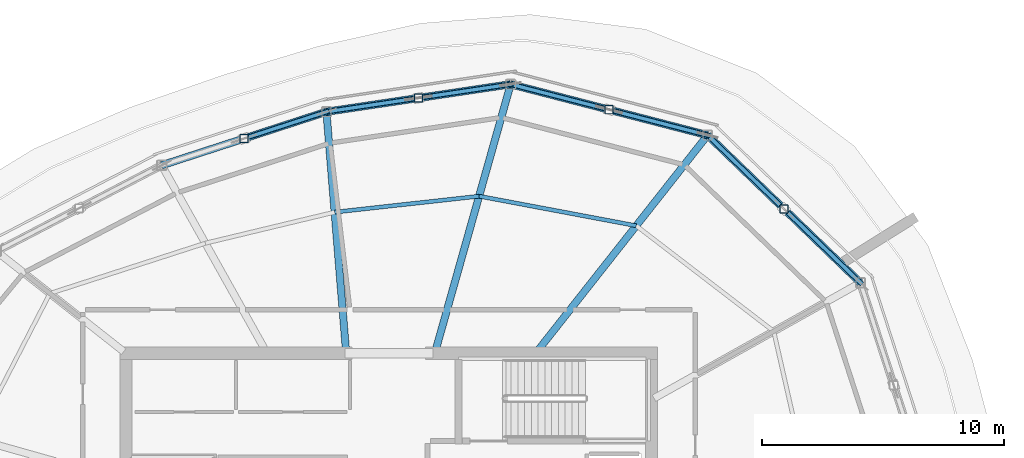
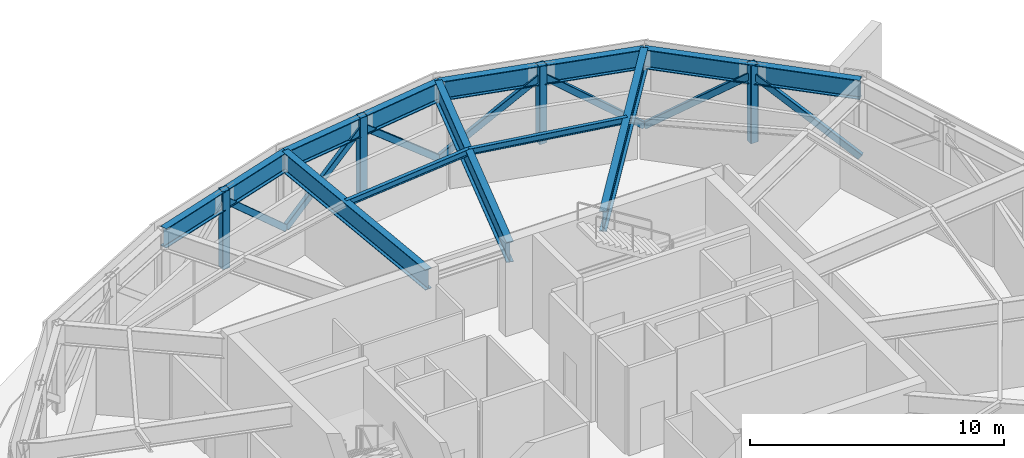
# One storey, part 7 of 14: 11 members, 9 beams.
"""IFC4 building model written with IfcOpenShell, lengths in metres."""

from ifc_helpers import new_model, si_unit, direction, frame, origin, origin_2d, place, context, subcontext, project, spatial, hollow_rectangle, i_section, extrude, material, material_profile, profile_set, type_object, element, save


model = new_model("IFC4")

# Units and contexts
model_context = context("Model", 3, precision=1e-05, world=origin(), true_north=direction((0.0, 1.0)))
body_context = subcontext(model_context, "Body", "Model", "MODEL_VIEW")
ifc_project = project(units=[si_unit("LENGTHUNIT", "METRE"), si_unit("AREAUNIT", "SQUARE_METRE"), si_unit("VOLUMEUNIT", "CUBIC_METRE"), si_unit("PLANEANGLEUNIT", "RADIAN"), si_unit("MASSUNIT", "GRAM", prefix="KILO")], contexts=[model_context])

# Site, building, storey
site_placement = place(None, origin())
site = spatial("IfcSite", under=ifc_project, at=site_placement, CompositionType="ELEMENT")
building_placement = place(site_placement, origin())
building = spatial("IfcBuilding", under=site, at=building_placement, Name="Kazma Halo Residences", CompositionType="ELEMENT")
storey_placement = place(building_placement, frame((0.0, 0.0, 351.5)))
storey = spatial("IfcBuildingStorey", under=building, at=storey_placement, Name="L88", CompositionType="ELEMENT", Elevation=351.5)

# Beams
ifc_material = material(Name="Steel S355", Category="steel")
ifc_material_profile_1 = material_profile(ifc_material, i_section(OverallWidth=0.30908203125, OverallDepth=0.931884765625, WebThickness=0.02099609375, FlangeThickness=0.034423828125, FilletRadius=0.02392578125, at=origin_2d()), Name="W920x313")
ifc_profile_set_1 = profile_set([ifc_material_profile_1], Name="Steel S355")
beam_type_1 = type_object("IfcBeamType", Name="BM-BELT-W920A", PredefinedType="BEAM", material=ifc_profile_set_1)
beam_1_placement = place(storey_placement, frame((67.940673828125, 53.167236328125, 3.75390625), z_axis=(-0.719330630477, 0.694667866003, 0.0), x_axis=(-0.694667866003, -0.719330630477, 0.0)))
element("IfcBeam", 1, at=beam_1_placement, inside=storey, type_object=beam_type_1, Name="L88 perimeter ring beam 01", PredefinedType="BEAM", context=body_context, shape_type="SweptSolid", body=[
    extrude(i_section(OverallWidth=0.30908203125, OverallDepth=0.931884765625, WebThickness=0.02099609375, FlangeThickness=0.034423828125, FilletRadius=0.02392578125, at=origin_2d()), origin(), (0.0, 0.0, 1.0), 8.79052734375),
])
beam_2_placement = place(storey_placement, frame((61.617431640625, 59.273681640625, 3.75390625), z_axis=(-0.968129821283, 0.250448895271, 0.0), x_axis=(-0.250448895271, -0.968129821283, 0.0)))
element("IfcBeam", 2, at=beam_2_placement, inside=storey, type_object=beam_type_1, Name="L88 perimeter ring beam 02", PredefinedType="BEAM", context=body_context, shape_type="SweptSolid", body=[
    extrude(i_section(OverallWidth=0.30908203125, OverallDepth=0.931884765625, WebThickness=0.02099609375, FlangeThickness=0.034423828125, FilletRadius=0.02392578125, at=origin_2d()), origin(), (0.0, 0.0, 1.0), 8.41943359375),
])
beam_3_placement = place(storey_placement, frame((53.46630859375, 61.38232421875, 3.75390625), z_axis=(-0.989034152337, -0.147686984904, 0.0), x_axis=(0.147686984904, -0.989034152337, 0.0)))
element("IfcBeam", 3, at=beam_3_placement, inside=storey, type_object=beam_type_1, Name="L88 perimeter ring beam 03", PredefinedType="BEAM", context=body_context, shape_type="SweptSolid", body=[
    extrude(i_section(OverallWidth=0.30908203125, OverallDepth=0.931884765625, WebThickness=0.02099609375, FlangeThickness=0.034423828125, FilletRadius=0.02392578125, at=origin_2d()), origin(), (0.0, 0.0, 1.0), 7.7099609375),
])
beam_4_placement = place(storey_placement, frame((45.8408203125, 60.24365234375, 3.75390625), z_axis=(-0.951067102, -0.308984413026, 0.0), x_axis=(0.308984413026, -0.951067102, 0.0)))
element("IfcBeam", 4, at=beam_4_placement, inside=storey, type_object=beam_type_1, Name="L88 perimeter ring beam 04", PredefinedType="BEAM", context=body_context, shape_type="SweptSolid", body=[
    extrude(i_section(OverallWidth=0.30908203125, OverallDepth=0.931884765625, WebThickness=0.02099609375, FlangeThickness=0.034423828125, FilletRadius=0.02392578125, at=origin_2d()), origin(), (0.0, 0.0, 1.0), 7.168212890625),
])
ifc_material_profile_2 = material_profile(ifc_material, i_section(OverallWidth=0.300048828125, OverallDepth=0.98193359375, WebThickness=0.0166015625, FlangeThickness=0.032958984375, FilletRadius=0.02587890625, at=origin_2d()), Name="W1000x296")
ifc_profile_set_2 = profile_set([ifc_material_profile_2], Name="Steel S355")
beam_type_2 = type_object("IfcBeamType", Name="BM-OUTR-W1000C", PredefinedType="BEAM", material=ifc_profile_set_2)
beam_5_placement = place(storey_placement, frame((54.58251953125, 50.35009765625, 3.72900390625), z_axis=(0.619100773028, 0.785311551447, 0.0), x_axis=(-0.785311551447, 0.619100773028, 0.0)))
element("IfcBeam", 5, at=beam_5_placement, inside=storey, type_object=beam_type_2, Name="L88 radial floor beam 02", PredefinedType="BEAM", context=body_context, shape_type="SweptSolid", body=[
    extrude(i_section(OverallWidth=0.300048828125, OverallDepth=0.98193359375, WebThickness=0.0166015625, FlangeThickness=0.032958984375, FilletRadius=0.02587890625, at=origin_2d()), origin(), (0.0, 0.0, 1.0), 11.363037109375),
])
beam_6_placement = place(storey_placement, frame((50.35498046875, 50.35009765625, 3.72900390625), z_axis=(0.271433859027, 0.962457095238, 0.0), x_axis=(-0.962457095238, 0.271433859027, 0.0)))
element("IfcBeam", 6, at=beam_6_placement, inside=storey, type_object=beam_type_2, Name="L88 radial floor beam 03", PredefinedType="BEAM", context=body_context, shape_type="SweptSolid", body=[
    extrude(i_section(OverallWidth=0.300048828125, OverallDepth=0.98193359375, WebThickness=0.0166015625, FlangeThickness=0.032958984375, FilletRadius=0.02587890625, at=origin_2d()), origin(), (0.0, 0.0, 1.0), 11.462646484375),
])
beam_7_placement = place(storey_placement, frame((46.64990234375, 50.35009765625, 3.72900390625), z_axis=(-0.081506605081, 0.996672801539, 0.0), x_axis=(-0.996672801539, -0.081506605081, 0.0)))
element("IfcBeam", 7, at=beam_7_placement, inside=storey, type_object=beam_type_2, Name="L88 radial floor beam 04", PredefinedType="BEAM", context=body_context, shape_type="SweptSolid", body=[
    extrude(i_section(OverallWidth=0.300048828125, OverallDepth=0.98193359375, WebThickness=0.0166015625, FlangeThickness=0.032958984375, FilletRadius=0.02587890625, at=origin_2d()), origin(), (0.0, 0.0, 1.0), 9.926513671875),
])
ifc_material_profile_3 = material_profile(ifc_material, i_section(OverallWidth=0.1650390625, OverallDepth=0.31005859375, WebThickness=0.005859375, FlangeThickness=0.009765625, FilletRadius=0.011962890625, at=origin_2d()), Name="W310x38.7")
ifc_profile_set_3 = profile_set([ifc_material_profile_3], Name="Steel S355")
beam_type_3 = type_object("IfcBeamType", Name="BM-SEC-W310B", PredefinedType="JOIST", material=ifc_profile_set_3)
beam_8_placement = place(storey_placement, frame((58.662841796875, 55.525634765625, 4.06494140625), z_axis=(-0.982768028721, 0.184843181435, 0.0), x_axis=(-0.184843181435, -0.982768028721, 0.0)))
element("IfcBeam", 8, at=beam_8_placement, inside=storey, type_object=beam_type_3, Name="L88 circumferential floor joist 02", PredefinedType="JOIST", context=body_context, shape_type="SweptSolid", body=[
    extrude(i_section(OverallWidth=0.1650390625, OverallDepth=0.31005859375, WebThickness=0.005859375, FlangeThickness=0.009765625, FilletRadius=0.011962890625, at=origin_2d()), origin(), (0.0, 0.0, 1.0), 6.6171875),
])
beam_9_placement = place(storey_placement, frame((52.15966796875, 56.748779296875, 4.06494140625), z_axis=(-0.993955293014, -0.109785588714, 0.0), x_axis=(0.109785588714, -0.993955293014, 0.0)))
element("IfcBeam", 9, at=beam_9_placement, inside=storey, type_object=beam_type_3, Name="L88 circumferential floor joist 03", PredefinedType="JOIST", context=body_context, shape_type="SweptSolid", body=[
    extrude(i_section(OverallWidth=0.1650390625, OverallDepth=0.31005859375, WebThickness=0.005859375, FlangeThickness=0.009765625, FilletRadius=0.011962890625, at=origin_2d()), origin(), (0.0, 0.0, 1.0), 6.015380859375),
])

# Members
ifc_material_profile_4 = material_profile(ifc_material, hollow_rectangle(XDim=0.199951171875, YDim=0.300048828125, WallThickness=0.012451171875, InnerFilletRadius=0.012451171875, OuterFilletRadius=0.02490234375, at=origin_2d()), Name="RHS300x200x12.5")
ifc_profile_set_4 = profile_set([ifc_material_profile_4], Name="Steel S355")
member_type_1 = type_object("IfcMemberType", Name="MBR-BELT-RHS300", PredefinedType="BRACE", material=ifc_profile_set_4)
for number, where, z_axis, x_axis, name in (
    (10, (67.940673828125, 53.167236328125, 0.47998046875), (-0.580272931554, 0.560377859615, 0.590982215773), (-0.694667866003, -0.719330630477, 0.0), "L88 belt-truss chevron diagonal 01A"),
    (11, (61.617431640625, 59.273681640625, 0.47998046875), (0.580272931554, -0.560377859615, 0.590982215773), (0.694667866003, 0.719330630477, 0.0), "L88 belt-truss chevron diagonal 01B"),
):
    element("IfcMember", number, at=place(storey_placement, frame(where, z_axis=z_axis, x_axis=x_axis)), inside=storey, type_object=member_type_1, Name=name, PredefinedType="BRACE", context=body_context, shape_type="SweptSolid", body=[
        extrude(hollow_rectangle(XDim=0.199951171875, YDim=0.300048828125, WallThickness=0.012451171875, InnerFilletRadius=0.012451171875, OuterFilletRadius=0.02490234375, at=origin_2d()), origin(), (0.0, 0.0, 1.0), 5.448486328125),
    ])
member_1_placement = place(storey_placement, frame((61.617431640625, 59.273681640625, 0.47998046875), z_axis=(-0.768967894326, 0.198909924381, 0.607555116412), x_axis=(-0.250428747003, -0.968135033285, 0.0)))
element("IfcMember", 12, at=member_1_placement, inside=storey, type_object=member_type_1, Name="L88 belt-truss chevron diagonal 02A", PredefinedType="BRACE", context=body_context, shape_type="SweptSolid", body=[
    extrude(hollow_rectangle(XDim=0.199951171875, YDim=0.300048828125, WallThickness=0.012451171875, InnerFilletRadius=0.012451171875, OuterFilletRadius=0.02490234375, at=origin_2d()), origin(), (0.0, 0.0, 1.0), 5.2998046875),
])
member_2_placement = place(storey_placement, frame((53.46630859375, 61.38232421875, 0.47998046875), z_axis=(0.76897967335, -0.198947119276, 0.607528028741), x_axis=(0.250469042007, 0.96812460923, 0.0)))
element("IfcMember", 13, at=member_2_placement, inside=storey, type_object=member_type_1, Name="L88 belt-truss chevron diagonal 02B", PredefinedType="BRACE", context=body_context, shape_type="SweptSolid", body=[
    extrude(hollow_rectangle(XDim=0.199951171875, YDim=0.300048828125, WallThickness=0.012451171875, InnerFilletRadius=0.012451171875, OuterFilletRadius=0.02490234375, at=origin_2d()), origin(), (0.0, 0.0, 1.0), 5.300048828125),
])
for number, where, z_axis, x_axis, name in (
    (14, (53.46630859375, 61.38232421875, 0.47998046875), (-0.759074560525, -0.113348394387, 0.641060022973), (0.147686984904, -0.989034152337, 0.0), "L88 belt-truss chevron diagonal 03A"),
    (15, (45.8408203125, 60.24365234375, 0.47998046875), (0.759074560525, 0.113348394387, 0.641060022973), (-0.147686984904, 0.989034152337, 0.0), "L88 belt-truss chevron diagonal 03B"),
):
    element("IfcMember", number, at=place(storey_placement, frame(where, z_axis=z_axis, x_axis=x_axis)), inside=storey, type_object=member_type_1, Name=name, PredefinedType="BRACE", context=body_context, shape_type="SweptSolid", body=[
        extrude(hollow_rectangle(XDim=0.199951171875, YDim=0.300048828125, WallThickness=0.012451171875, InnerFilletRadius=0.012451171875, OuterFilletRadius=0.02490234375, at=origin_2d()), origin(), (0.0, 0.0, 1.0), 5.02294921875),
    ])
member_3_placement = place(storey_placement, frame((45.8408203125, 60.24365234375, 0.47998046875), z_axis=(-0.707481082682, -0.229847743235, 0.668311703158), x_axis=(0.308984413026, -0.951067102, 0.0)))
element("IfcMember", 16, at=member_3_placement, inside=storey, type_object=member_type_1, Name="L88 belt-truss chevron diagonal 04A", PredefinedType="BRACE", context=body_context, shape_type="SweptSolid", body=[
    extrude(hollow_rectangle(XDim=0.199951171875, YDim=0.300048828125, WallThickness=0.012451171875, InnerFilletRadius=0.012451171875, OuterFilletRadius=0.02490234375, at=origin_2d()), origin(), (0.0, 0.0, 1.0), 4.818115234375),
])
ifc_material_profile_5 = material_profile(ifc_material, hollow_rectangle(XDim=0.35009765625, YDim=0.35009765625, WallThickness=0.01611328125, InnerFilletRadius=0.01611328125, OuterFilletRadius=0.031982421875, at=origin_2d()), Name="SHS350x350x16")
ifc_profile_set_5 = profile_set([ifc_material_profile_5], Name="Steel S355")
member_type_2 = type_object("IfcMemberType", Name="MBR-POST-SHS350", PredefinedType="STRUT", material=ifc_profile_set_5)
for number, where, z_axis, x_axis, name in (
    (17, (64.779052734375, 56.220458984375, 0.47998046875), (0.0, 0.0, 1.0), (1.0, 0.0, 0.0), "L88 belt-truss web post 01"),
    (18, (57.5419921875, 60.327880859375, 0.47998046875), (0.0, 0.0, 1.0), (1.0, 0.0, 0.0), "L88 belt-truss web post 02"),
    (19, (49.653564453125, 60.81298828125, 0.47998046875), (0.0, 0.0, 1.0), (1.0, 0.0, 0.0), "L88 belt-truss web post 03"),
    (20, (42.43212890625, 59.13623046875, 0.47998046875), (0.0, 0.0, 1.0), (1.0, 0.0, 0.0), "L88 belt-truss web post 04"),
):
    element("IfcMember", number, at=place(storey_placement, frame(where, z_axis=z_axis, x_axis=x_axis)), inside=storey, type_object=member_type_2, Name=name, PredefinedType="STRUT", context=body_context, shape_type="SweptSolid", body=[
        extrude(hollow_rectangle(XDim=0.35009765625, YDim=0.35009765625, WallThickness=0.01611328125, InnerFilletRadius=0.01611328125, OuterFilletRadius=0.031982421875, at=origin_2d()), origin(), (0.0, 0.0, 1.0), 3.739990234375),
    ])

save(model, "model.ifc")
